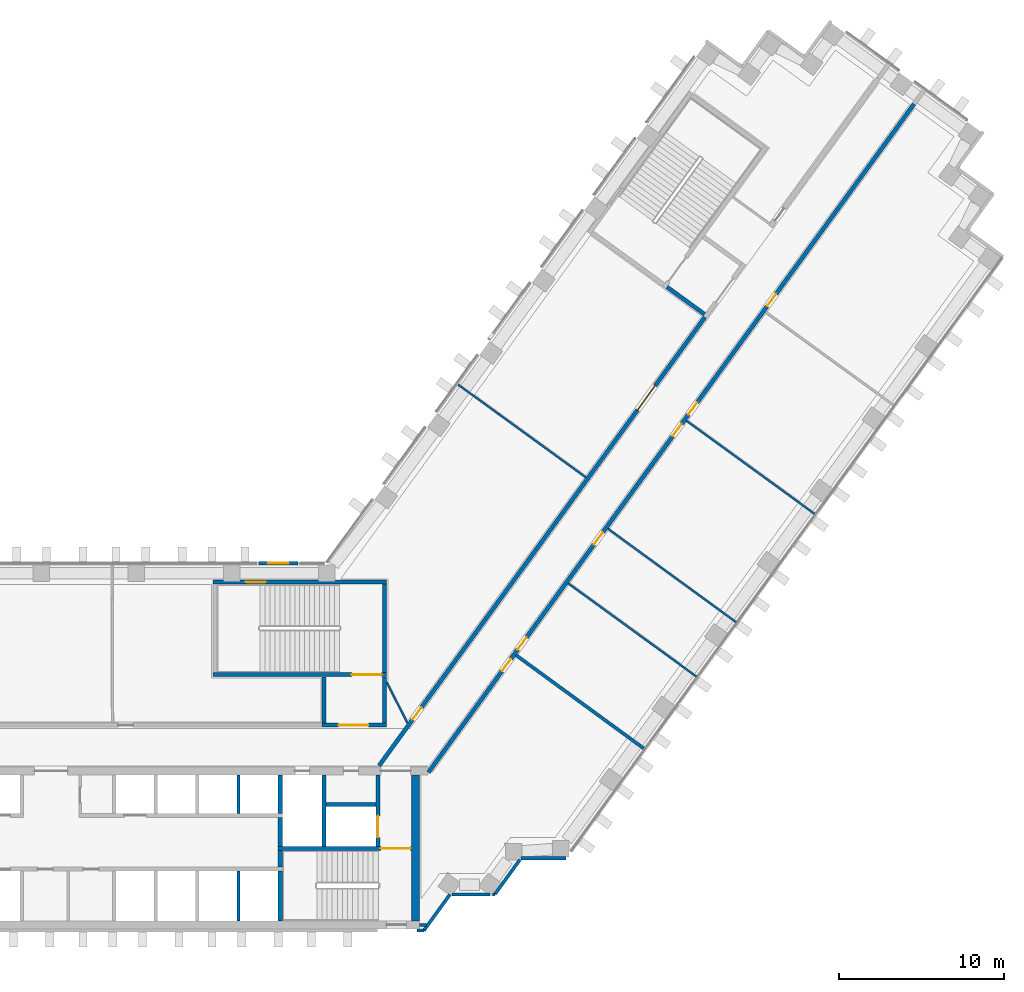
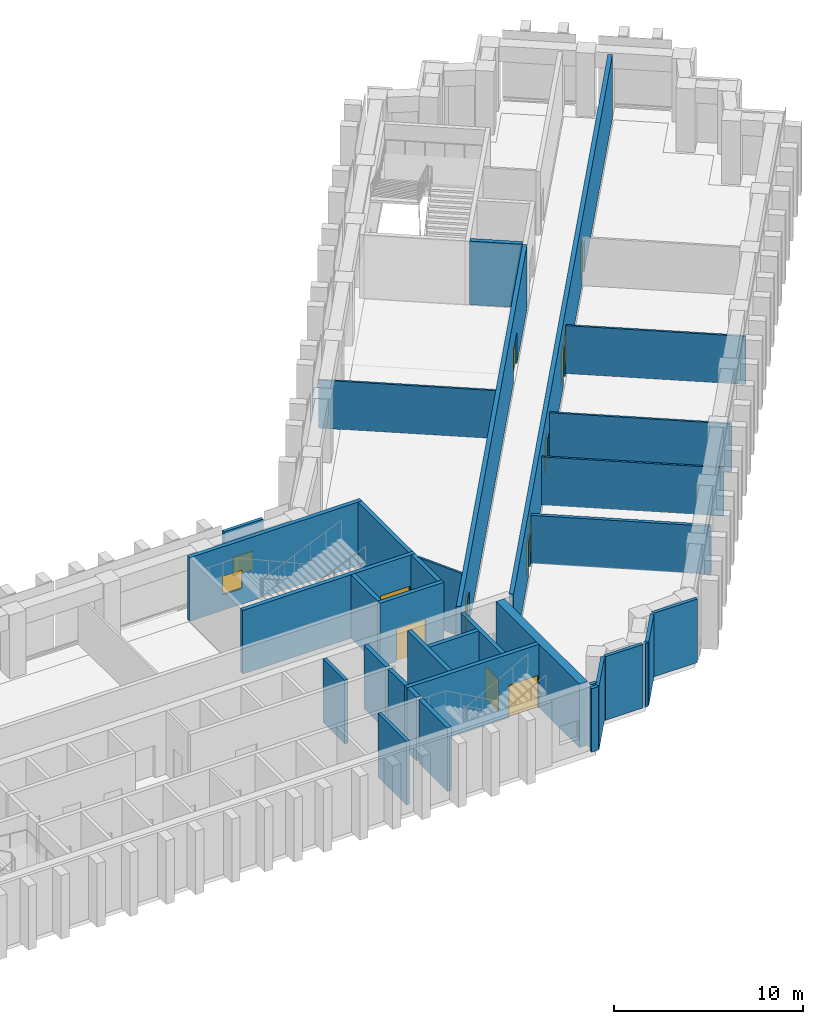
# One storey, part 10 of 15: 34 walls, 12 doors, 2 windows, 14 openings.
"""IFC4 building model written with IfcOpenShell, lengths in metres."""

from ifc_helpers import new_model, si_unit, direction, frame, frame_2d, origin, place, context, subcontext, project, spatial, rectangle, extrude, material, layer, layer_set, type_object, element, fill, save


model = new_model("IFC4")

# Units and contexts
model_context = context("Model", 3, precision=1e-05, world=origin(), true_north=direction((0.0, 1.0)))
body_context = subcontext(model_context, "Body", "Model", "MODEL_VIEW")
ifc_project = project(units=[si_unit("LENGTHUNIT", "METRE"), si_unit("AREAUNIT", "SQUARE_METRE"), si_unit("VOLUMEUNIT", "CUBIC_METRE"), si_unit("PLANEANGLEUNIT", "RADIAN"), si_unit("MASSUNIT", "GRAM", prefix="KILO")], contexts=[model_context])

# Site, building, storey
site_placement = place(None, origin())
site = spatial("IfcSite", under=ifc_project, at=site_placement, CompositionType="ELEMENT")
building_placement = place(site_placement, origin())
building = spatial("IfcBuilding", under=site, at=building_placement, Name="Quipu Civic Tower", CompositionType="ELEMENT")
storey_placement = place(building_placement, frame((0.0, 0.0, 11.5)))
storey = spatial("IfcBuildingStorey", under=building, at=storey_placement, Name="L02", CompositionType="ELEMENT", Elevation=11.5)

# Walls
ifc_material_1 = material(Name="Fired clay blockwork", Category="masonry")
ifc_layer_1 = layer(ifc_material_1, 0.199951171875)
ifc_layer_set_1 = layer_set([ifc_layer_1], Name="Fired clay blockwork")
wall_type_1 = type_object("IfcWallType", Name="Blockwork wall 200", PredefinedType="SOLIDWALL", material=ifc_layer_set_1)
wall_1_placement = place(storey_placement, frame((25.82568359375, 5.55126953125, 0.0), z_axis=(0.0, 0.0, 1.0), x_axis=(0.80759810708, -0.589733242612, 0.0)))
element("IfcWall", 1, at=wall_1_placement, inside=storey, type_object=wall_type_1, Name="Partition P11", PredefinedType="SOLIDWALL", context=body_context, shape_type="SweptSolid", body=[
    extrude(rectangle(XDim=9.5498046875, YDim=0.199951171875, at=frame_2d((4.77490234375, 0.0))), origin(), (0.0, 0.0, 1.0), 3.10009765625),
])
ifc_material_2 = material(Name="Concrete C70/85", Category="concrete")
ifc_layer_2 = layer(ifc_material_2, 0.25)
ifc_layer_set_2 = layer_set([ifc_layer_2], Name="Concrete C70/85")
wall_type_2 = type_object("IfcWallType", Name="Core wall 250", PredefinedType="SHEAR", material=ifc_layer_set_2)
wall_2_placement = place(storey_placement, frame((11.574951171875, -10.5, 0.0), z_axis=(0.0, 0.0, 1.0), x_axis=(0.0, 1.0, 0.0)))
element("IfcWall", 2, at=wall_2_placement, inside=storey, type_object=wall_type_2, Name="Core wall", PredefinedType="SHEAR", context=body_context, shape_type="SweptSolid", body=[
    extrude(rectangle(XDim=3.0, YDim=0.25, at=frame_2d((1.5, 0.0))), origin(), (0.0, 0.0, 1.0), 4.10009765625),
])
wall_3_placement = place(storey_placement, frame((11.574951171875, -7.25, 0.0), z_axis=(0.0, 0.0, 1.0), x_axis=(0.0, 1.0, 0.0)))
element("IfcWall", 3, at=wall_3_placement, inside=storey, type_object=wall_type_2, Name="Core wall", PredefinedType="SHEAR", context=body_context, shape_type="SweptSolid", body=[
    extrude(rectangle(XDim=1.0, YDim=0.25, at=frame_2d((0.5, 0.0))), origin(), (0.0, 0.0, 1.0), 4.10009765625),
])

# Wall, opening, door
wall_4_placement = place(storey_placement, frame((19.5, -6.125, 0.0), z_axis=(0.0, 0.0, 1.0), x_axis=(-1.0, 0.0, 0.0)))
wall_4 = element("IfcWall", 4, at=wall_4_placement, inside=storey, type_object=wall_type_2, Name="Core wall", PredefinedType="SHEAR", context=body_context, shape_type="SweptSolid", body=[
    extrude(rectangle(XDim=8.050048828125, YDim=0.25, at=frame_2d((4.02490234375, 0.0))), origin(), (0.0, 0.0, 1.0), 4.10009765625),
])
opening_1_placement = place(wall_4_placement, frame((0.050048828125, 0.0, 0.0)))
opening_1 = element("IfcOpeningElement", 5, at=opening_1_placement, cuts=wall_4, Name="Opening CD-04", PredefinedType="OPENING", context=body_context, shape_type="SweptSolid", body=[
    extrude(rectangle(XDim=1.800048828125, YDim=2.10009765625, at=frame_2d((0.89990234375, 1.050048828125))), frame((0.0, 0.135009765625, 0.0), z_axis=(0.0, -1.0, 0.0), x_axis=(1.0, 0.0, 0.0)), (0.0, 0.0, 1.0), 0.27001953125),
])
ifc_material_3 = material(Name="Fire rated steel door", Category="steel")
door_type_1 = type_object("IfcDoorType", Name="Fire door FD90 double 1800 x 2100", OperationType="NOTDEFINED", PredefinedType="DOOR", material=ifc_material_3)
door_1_placement = place(opening_1_placement, origin())
door_1 = element("IfcDoor", 6, at=door_1_placement, inside=storey, type_object=door_type_1, Name="Door", OperationType="DOUBLE_DOOR_SINGLE_SWING", OverallHeight=2.10009765625, OverallWidth=1.800048828125, PredefinedType="DOOR", context=body_context, shape_type="SweptSolid", body=[
    extrude(rectangle(XDim=1.800048828125, YDim=2.10009765625, at=frame_2d((0.89990234375, 1.050048828125))), frame((0.0, 0.02490234375, 0.0), z_axis=(0.0, -1.0, 0.0), x_axis=(1.0, 0.0, 0.0)), (0.0, 0.0, 1.0), 0.050048828125),
])
fill(opening_1, door_1)

# Walls
wall_5_placement = place(storey_placement, frame((11.574951171875, -6.0, 0.0), z_axis=(0.0, 0.0, 1.0), x_axis=(0.0, 1.0, 0.0)))
element("IfcWall", 7, at=wall_5_placement, inside=storey, type_object=wall_type_2, Name="Core wall", PredefinedType="SHEAR", context=body_context, shape_type="SweptSolid", body=[
    extrude(rectangle(XDim=1.75, YDim=0.25, at=frame_2d((0.875, 0.0))), origin(), (0.0, 0.0, 1.0), 4.10009765625),
])
wall_6_placement = place(storey_placement, frame((14.22509765625, -6.0, 0.0), z_axis=(0.0, 0.0, 1.0), x_axis=(0.0, 1.0, 0.0)))
element("IfcWall", 8, at=wall_6_placement, inside=storey, type_object=wall_type_2, Name="Core wall", PredefinedType="SHEAR", context=body_context, shape_type="SweptSolid", body=[
    extrude(rectangle(XDim=4.300048828125, YDim=0.25, at=frame_2d((2.14990234375, 0.0))), origin(), (0.0, 0.0, 1.0), 4.10009765625),
])

# Wall, opening, door
wall_7_placement = place(storey_placement, frame((17.47509765625, -6.0, 0.0), z_axis=(0.0, 0.0, 1.0), x_axis=(0.0, 1.0, 0.0)))
wall_7 = element("IfcWall", 9, at=wall_7_placement, inside=storey, type_object=wall_type_2, Name="Core wall", PredefinedType="SHEAR", context=body_context, shape_type="SweptSolid", body=[
    extrude(rectangle(XDim=4.300048828125, YDim=0.25, at=frame_2d((2.14990234375, 0.0))), origin(), (0.0, 0.0, 1.0), 4.10009765625),
])
opening_2_placement = place(wall_7_placement, frame((0.550048828125, 0.0, 0.0)))
opening_2 = element("IfcOpeningElement", 10, at=opening_2_placement, cuts=wall_7, Name="Opening LD-FF2", PredefinedType="OPENING", context=body_context, shape_type="SweptSolid", body=[
    extrude(rectangle(XDim=1.300048828125, YDim=2.10009765625, at=frame_2d((0.64990234375, 1.050048828125))), frame((0.0, 0.135009765625, 0.0), z_axis=(0.0, -1.0, 0.0), x_axis=(1.0, 0.0, 0.0)), (0.0, 0.0, 1.0), 0.27001953125),
])
ifc_material_4 = material(Name="Stainless steel", Category="steel")
door_type_2 = type_object("IfcDoorType", Name="Lift landing door 1300 x 2100", OperationType="DOUBLE_DOOR_SLIDING", PredefinedType="DOOR", material=ifc_material_4)
door_2_placement = place(opening_2_placement, origin())
door_2 = element("IfcDoor", 11, at=door_2_placement, inside=storey, type_object=door_type_2, Name="Landing door FF2", OperationType="DOUBLE_DOOR_SLIDING", OverallHeight=2.10009765625, OverallWidth=1.300048828125, PredefinedType="DOOR", context=body_context, shape_type="SweptSolid", body=[
    extrude(rectangle(XDim=1.300048828125, YDim=2.10009765625, at=frame_2d((0.64990234375, 1.050048828125))), frame((0.0, 0.02490234375, 0.0), z_axis=(0.0, -1.0, 0.0), x_axis=(1.0, 0.0, 0.0)), (0.0, 0.0, 1.0), 0.050048828125),
])
fill(opening_2, door_2)

# Walls
wall_8_placement = place(storey_placement, frame((11.574951171875, -4.0, 0.0), z_axis=(0.0, 0.0, 1.0), x_axis=(0.0, 1.0, 0.0)))
element("IfcWall", 12, at=wall_8_placement, inside=storey, type_object=wall_type_2, Name="Core wall", PredefinedType="SHEAR", context=body_context, shape_type="SweptSolid", body=[
    extrude(rectangle(XDim=2.300048828125, YDim=0.25, at=frame_2d((1.14990234375, 0.0))), origin(), (0.0, 0.0, 1.0), 4.10009765625),
])
wall_9_placement = place(storey_placement, frame((14.35009765625, -3.47509765625, 0.0), z_axis=(0.0, 0.0, 1.0), x_axis=(1.0, 0.0, 0.0)))
element("IfcWall", 13, at=wall_9_placement, inside=storey, type_object=wall_type_2, Name="Core wall", PredefinedType="SHEAR", context=body_context, shape_type="SweptSolid", body=[
    extrude(rectangle(XDim=3.0, YDim=0.25, at=frame_2d((1.5, 0.0))), origin(), (0.0, 0.0, 1.0), 4.10009765625),
])

# Wall, opening, door
wall_10_placement = place(storey_placement, frame((14.10009765625, 1.324951171875, 0.0), z_axis=(0.0, 0.0, 1.0), x_axis=(1.0, 0.0, 0.0)))
wall_10 = element("IfcWall", 14, at=wall_10_placement, inside=storey, type_object=wall_type_2, Name="Core wall", PredefinedType="SHEAR", context=body_context, shape_type="SweptSolid", body=[
    extrude(rectangle(XDim=3.89990234375, YDim=0.25, at=frame_2d((1.949951171875, 0.0))), origin(), (0.0, 0.0, 1.0), 4.10009765625),
])
opening_3_placement = place(wall_10_placement, frame((1.0, 0.0, 0.0)))
opening_3 = element("IfcOpeningElement", 15, at=opening_3_placement, cuts=wall_10, Name="Opening CD-16", PredefinedType="OPENING", context=body_context, shape_type="SweptSolid", body=[
    extrude(rectangle(XDim=1.800048828125, YDim=2.10009765625, at=frame_2d((0.89990234375, 1.050048828125))), frame((0.0, 0.135009765625, 0.0), z_axis=(0.0, -1.0, 0.0), x_axis=(1.0, 0.0, 0.0)), (0.0, 0.0, 1.0), 0.27001953125),
])
door_3_placement = place(opening_3_placement, origin())
door_3 = element("IfcDoor", 16, at=door_3_placement, inside=storey, type_object=door_type_1, Name="Lobby door", OperationType="DOUBLE_DOOR_SINGLE_SWING", OverallHeight=2.10009765625, OverallWidth=1.800048828125, PredefinedType="DOOR", context=body_context, shape_type="SweptSolid", body=[
    extrude(rectangle(XDim=1.800048828125, YDim=2.10009765625, at=frame_2d((0.89990234375, 1.050048828125))), frame((0.0, 0.02490234375, 0.0), z_axis=(0.0, -1.0, 0.0), x_axis=(1.0, 0.0, 0.0)), (0.0, 0.0, 1.0), 0.050048828125),
])
fill(opening_3, door_3)

# Walls
for number, where, z_axis, x_axis, name in (
    (17, (14.22509765625, 1.449951171875, 0.0), (0.0, 0.0, 1.0), (0.0, 1.0, 0.0), "Core wall"),
    (18, (17.875, 1.449951171875, 0.0), (0.0, 0.0, 1.0), (0.0, 1.0, 0.0), "Core wall"),
):
    element("IfcWall", number, at=place(storey_placement, frame(where, z_axis=z_axis, x_axis=x_axis)), inside=storey, type_object=wall_type_2, Name=name, PredefinedType="SHEAR", context=body_context, shape_type="SweptSolid", body=[
        extrude(rectangle(XDim=2.800048828125, YDim=0.25, at=frame_2d((1.39990234375, 0.0))), origin(), (0.0, 0.0, 1.0), 4.10009765625),
    ])

# Wall, opening, door
wall_11_placement = place(storey_placement, frame((7.5, 4.375, 0.0), z_axis=(0.0, 0.0, 1.0), x_axis=(1.0, 0.0, 0.0)))
wall_11 = element("IfcWall", 19, at=wall_11_placement, inside=storey, type_object=wall_type_2, Name="Core wall", PredefinedType="SHEAR", context=body_context, shape_type="SweptSolid", body=[
    extrude(rectangle(XDim=10.5, YDim=0.25, at=frame_2d((5.25, 0.0))), origin(), (0.0, 0.0, 1.0), 4.10009765625),
])
opening_4_placement = place(wall_11_placement, frame((8.39990234375, 0.0, 0.0)))
opening_4 = element("IfcOpeningElement", 20, at=opening_4_placement, cuts=wall_11, Name="Opening CD-17", PredefinedType="OPENING", context=body_context, shape_type="SweptSolid", body=[
    extrude(rectangle(XDim=1.800048828125, YDim=2.10009765625, at=frame_2d((0.89990234375, 1.050048828125))), frame((0.0, 0.135009765625, 0.0), z_axis=(0.0, -1.0, 0.0), x_axis=(1.0, 0.0, 0.0)), (0.0, 0.0, 1.0), 0.27001953125),
])
door_4_placement = place(opening_4_placement, origin())
door_4 = element("IfcDoor", 21, at=door_4_placement, inside=storey, type_object=door_type_1, Name="Door", OperationType="DOUBLE_DOOR_SINGLE_SWING", OverallHeight=2.10009765625, OverallWidth=1.800048828125, PredefinedType="DOOR", context=body_context, shape_type="SweptSolid", body=[
    extrude(rectangle(XDim=1.800048828125, YDim=2.10009765625, at=frame_2d((0.89990234375, 1.050048828125))), frame((0.0, 0.02490234375, 0.0), z_axis=(0.0, -1.0, 0.0), x_axis=(1.0, 0.0, 0.0)), (0.0, 0.0, 1.0), 0.050048828125),
])
fill(opening_4, door_4)

# Wall
wall_12_placement = place(storey_placement, frame((17.875, 4.5, 0.0), z_axis=(0.0, 0.0, 1.0), x_axis=(0.0, 1.0, 0.0)))
element("IfcWall", 22, at=wall_12_placement, inside=storey, type_object=wall_type_2, Name="Core wall", PredefinedType="SHEAR", context=body_context, shape_type="SweptSolid", body=[
    extrude(rectangle(XDim=5.35009765625, YDim=0.25, at=frame_2d((2.675048828125, 0.0))), origin(), (0.0, 0.0, 1.0), 4.10009765625),
])

# Wall, opening, window
wall_13_placement = place(storey_placement, frame((7.5, 9.97509765625, 0.0), z_axis=(0.0, 0.0, 1.0), x_axis=(1.0, 0.0, 0.0)))
wall_13 = element("IfcWall", 23, at=wall_13_placement, inside=storey, type_object=wall_type_2, Name="Core wall", PredefinedType="SHEAR", context=body_context, shape_type="SweptSolid", body=[
    extrude(rectangle(XDim=10.5, YDim=0.25, at=frame_2d((5.25, 0.0))), origin(), (0.0, 0.0, 1.0), 4.10009765625),
])
opening_5_placement = place(wall_13_placement, frame((2.0, 0.0, 1.0)))
opening_5 = element("IfcOpeningElement", 24, at=opening_5_placement, cuts=wall_13, Name="Opening SV-4", PredefinedType="OPENING", context=body_context, shape_type="SweptSolid", body=[
    extrude(rectangle(XDim=1.199951171875, YDim=1.199951171875, at=frame_2d((0.60009765625, 0.60009765625))), frame((0.0, 0.135009765625, 0.0), z_axis=(0.0, -1.0, 0.0), x_axis=(1.0, 0.0, 0.0)), (0.0, 0.0, 1.0), 0.27001953125),
])
ifc_material_5 = material(Name="Aluminium louvre", Category="aluminium")
window_type_1 = type_object("IfcWindowType", Name="Stair ventilation louvre 1200 x 1200", PartitioningType="SINGLE_PANEL", PredefinedType="WINDOW", material=ifc_material_5)
window_1_placement = place(opening_5_placement, origin())
window_1 = element("IfcWindow", 25, at=window_1_placement, inside=storey, type_object=window_type_1, Name="Stair ventilation opening", OverallHeight=1.199951171875, OverallWidth=1.199951171875, PartitioningType="SINGLE_PANEL", PredefinedType="WINDOW", context=body_context, shape_type="SweptSolid", body=[
    extrude(rectangle(XDim=1.199951171875, YDim=1.199951171875, at=frame_2d((0.60009765625, 0.60009765625))), frame((0.0, 0.030029296875, 0.0), z_axis=(0.0, -1.0, 0.0), x_axis=(1.0, 0.0, 0.0)), (0.0, 0.0, 1.0), 0.06005859375),
])
fill(opening_5, window_1)

# Walls
wall_14_placement = place(storey_placement, frame((37.2099609375, 26.154296875, 0.0), z_axis=(0.0, 0.0, 1.0), x_axis=(-0.809041377956, 0.587751689708, 0.0)))
element("IfcWall", 26, at=wall_14_placement, inside=storey, type_object=wall_type_2, Name="Core wall", PredefinedType="SHEAR", context=body_context, shape_type="SweptSolid", body=[
    extrude(rectangle(XDim=2.800048828125, YDim=0.25, at=frame_2d((1.39990234375, 0.0))), origin(), (0.0, 0.0, 1.0), 4.10009765625),
])
ifc_material_6 = material(Name="Concrete C70/85", Category="concrete")
ifc_layer_3 = layer(ifc_material_6, 0.5)
ifc_layer_set_3 = layer_set([ifc_layer_3], Name="Concrete C70/85")
wall_type_3 = type_object("IfcWallType", Name="Core wall 500", PredefinedType="SHEAR", material=ifc_layer_set_3)
wall_15_placement = place(storey_placement, frame((19.75, -10.5, 0.0), z_axis=(0.0, 0.0, 1.0), x_axis=(0.0, 1.0, 0.0)))
element("IfcWall", 27, at=wall_15_placement, inside=storey, type_object=wall_type_3, Name="Core wall", PredefinedType="SHEAR", context=body_context, shape_type="SweptSolid", body=[
    extrude(rectangle(XDim=8.800048828125, YDim=0.5, at=frame_2d((4.39990234375, 0.0))), origin(), (0.0, 0.0, 1.0), 4.10009765625),
])

# Wall, openings, doors
ifc_material_7 = material(Name="Concrete C50/60", Category="concrete")
ifc_layer_4 = layer(ifc_material_7, 0.25)
ifc_layer_set_4 = layer_set([ifc_layer_4], Name="Concrete C50/60")
wall_type_4 = type_object("IfcWallType", Name="Corridor wall 250 concrete", PredefinedType="SOLIDWALL", material=ifc_layer_set_4)
wall_16_placement = place(storey_placement, frame((49.86865234375, 38.8564453125, 0.0), z_axis=(0.0, 0.0, 1.0), x_axis=(-0.587784522481, -0.809017524614, 0.0)))
wall_16 = element("IfcWall", 28, at=wall_16_placement, inside=storey, type_object=wall_type_4, Name="Corridor wall C01", PredefinedType="SOLIDWALL", context=body_context, shape_type="SweptSolid", body=[
    extrude(rectangle(XDim=49.912353515625, YDim=0.25, at=frame_2d((24.9560546875, 0.0))), origin(), (0.0, 0.0, 1.0), 4.10009765625),
])
opening_6_placement = place(wall_16_placement, frame((23.896728515625, 0.0, 0.0)))
opening_6 = element("IfcOpeningElement", 29, at=opening_6_placement, cuts=wall_16, Name="Opening D007", PredefinedType="OPENING", context=body_context, shape_type="SweptSolid", body=[
    extrude(rectangle(XDim=0.89990234375, YDim=2.10009765625, at=frame_2d((0.449951171875, 1.050048828125))), frame((0.0, 0.135009765625, 0.0), z_axis=(0.0, -1.0, 0.0), x_axis=(1.0, 0.0, 0.0)), (0.0, 0.0, 1.0), 0.27001953125),
])
opening_7_placement = place(wall_16_placement, frame((14.196044921875, 0.0, 0.0)))
opening_7 = element("IfcOpeningElement", 30, at=opening_7_placement, cuts=wall_16, Name="Opening D009", PredefinedType="OPENING", context=body_context, shape_type="SweptSolid", body=[
    extrude(rectangle(XDim=0.89990234375, YDim=2.10009765625, at=frame_2d((0.449951171875, 1.050048828125))), frame((0.0, 0.135009765625, 0.0), z_axis=(0.0, -1.0, 0.0), x_axis=(1.0, 0.0, 0.0)), (0.0, 0.0, 1.0), 0.27001953125),
])
opening_8_placement = place(wall_16_placement, frame((39.8466796875, 0.0, 0.0)))
opening_8 = element("IfcOpeningElement", 31, at=opening_8_placement, cuts=wall_16, Name="Opening D005", PredefinedType="OPENING", context=body_context, shape_type="SweptSolid", body=[
    extrude(rectangle(XDim=0.89990234375, YDim=2.10009765625, at=frame_2d((0.449951171875, 1.050048828125))), frame((0.0, 0.135009765625, 0.0), z_axis=(0.0, -1.0, 0.0), x_axis=(1.0, 0.0, 0.0)), (0.0, 0.0, 1.0), 0.27001953125),
])
opening_9_placement = place(wall_16_placement, frame((41.4462890625, 0.0, 0.0)))
opening_9 = element("IfcOpeningElement", 32, at=opening_9_placement, cuts=wall_16, Name="Opening D004", PredefinedType="OPENING", context=body_context, shape_type="SweptSolid", body=[
    extrude(rectangle(XDim=0.89990234375, YDim=2.10009765625, at=frame_2d((0.449951171875, 1.050048828125))), frame((0.0, 0.135009765625, 0.0), z_axis=(0.0, -1.0, 0.0), x_axis=(1.0, 0.0, 0.0)), (0.0, 0.0, 1.0), 0.27001953125),
])
opening_10_placement = place(wall_16_placement, frame((31.99658203125, 0.0, 0.0)))
opening_10 = element("IfcOpeningElement", 33, at=opening_10_placement, cuts=wall_16, Name="Opening D006", PredefinedType="OPENING", context=body_context, shape_type="SweptSolid", body=[
    extrude(rectangle(XDim=0.89990234375, YDim=2.10009765625, at=frame_2d((0.449951171875, 1.050048828125))), frame((0.0, 0.135009765625, 0.0), z_axis=(0.0, -1.0, 0.0), x_axis=(1.0, 0.0, 0.0)), (0.0, 0.0, 1.0), 0.27001953125),
])
opening_11_placement = place(wall_16_placement, frame((22.2958984375, 0.0, 0.0)))
opening_11 = element("IfcOpeningElement", 34, at=opening_11_placement, cuts=wall_16, Name="Opening D008", PredefinedType="OPENING", context=body_context, shape_type="SweptSolid", body=[
    extrude(rectangle(XDim=0.89990234375, YDim=2.10009765625, at=frame_2d((0.449951171875, 1.050048828125))), frame((0.0, 0.135009765625, 0.0), z_axis=(0.0, -1.0, 0.0), x_axis=(1.0, 0.0, 0.0)), (0.0, 0.0, 1.0), 0.27001953125),
])
ifc_material_8 = material(Name="Fire rated timber door set with metal frame", Category="wood")
door_type_3 = type_object("IfcDoorType", Name="Single door 900 x 2100 FD60", OperationType="NOTDEFINED", PredefinedType="DOOR", material=ifc_material_8)
door_5_placement = place(opening_6_placement, origin())
door_5 = element("IfcDoor", 35, at=door_5_placement, inside=storey, type_object=door_type_3, Name="Door D007", OperationType="SINGLE_SWING_LEFT", OverallHeight=2.10009765625, OverallWidth=0.89990234375, PredefinedType="DOOR", context=body_context, shape_type="SweptSolid", body=[
    extrude(rectangle(XDim=0.89990234375, YDim=2.10009765625, at=frame_2d((0.449951171875, 1.050048828125))), frame((0.0, 0.02490234375, 0.0), z_axis=(0.0, -1.0, 0.0), x_axis=(1.0, 0.0, 0.0)), (0.0, 0.0, 1.0), 0.050048828125),
])
fill(opening_6, door_5)
door_6_placement = place(opening_7_placement, origin())
door_6 = element("IfcDoor", 36, at=door_6_placement, inside=storey, type_object=door_type_3, Name="Door D009", OperationType="SINGLE_SWING_RIGHT", OverallHeight=2.10009765625, OverallWidth=0.89990234375, PredefinedType="DOOR", context=body_context, shape_type="SweptSolid", body=[
    extrude(rectangle(XDim=0.89990234375, YDim=2.10009765625, at=frame_2d((0.449951171875, 1.050048828125))), frame((0.0, 0.02490234375, 0.0), z_axis=(0.0, -1.0, 0.0), x_axis=(1.0, 0.0, 0.0)), (0.0, 0.0, 1.0), 0.050048828125),
])
fill(opening_7, door_6)
door_7_placement = place(opening_8_placement, origin())
door_7 = element("IfcDoor", 37, at=door_7_placement, inside=storey, type_object=door_type_3, Name="Door D005", OperationType="SINGLE_SWING_RIGHT", OverallHeight=2.10009765625, OverallWidth=0.89990234375, PredefinedType="DOOR", context=body_context, shape_type="SweptSolid", body=[
    extrude(rectangle(XDim=0.89990234375, YDim=2.10009765625, at=frame_2d((0.449951171875, 1.050048828125))), frame((0.0, 0.02490234375, 0.0), z_axis=(0.0, -1.0, 0.0), x_axis=(1.0, 0.0, 0.0)), (0.0, 0.0, 1.0), 0.050048828125),
])
fill(opening_8, door_7)
door_8_placement = place(opening_9_placement, origin())
door_8 = element("IfcDoor", 38, at=door_8_placement, inside=storey, type_object=door_type_3, Name="Door D004", OperationType="SINGLE_SWING_LEFT", OverallHeight=2.10009765625, OverallWidth=0.89990234375, PredefinedType="DOOR", context=body_context, shape_type="SweptSolid", body=[
    extrude(rectangle(XDim=0.89990234375, YDim=2.10009765625, at=frame_2d((0.449951171875, 1.050048828125))), frame((0.0, 0.02490234375, 0.0), z_axis=(0.0, -1.0, 0.0), x_axis=(1.0, 0.0, 0.0)), (0.0, 0.0, 1.0), 0.050048828125),
])
fill(opening_9, door_8)
door_9_placement = place(opening_10_placement, origin())
door_9 = element("IfcDoor", 39, at=door_9_placement, inside=storey, type_object=door_type_3, Name="Door D006", OperationType="SINGLE_SWING_LEFT", OverallHeight=2.10009765625, OverallWidth=0.89990234375, PredefinedType="DOOR", context=body_context, shape_type="SweptSolid", body=[
    extrude(rectangle(XDim=0.89990234375, YDim=2.10009765625, at=frame_2d((0.449951171875, 1.050048828125))), frame((0.0, 0.02490234375, 0.0), z_axis=(0.0, -1.0, 0.0), x_axis=(1.0, 0.0, 0.0)), (0.0, 0.0, 1.0), 0.050048828125),
])
fill(opening_10, door_9)
door_10_placement = place(opening_11_placement, origin())
door_10 = element("IfcDoor", 40, at=door_10_placement, inside=storey, type_object=door_type_3, Name="Door D008", OperationType="SINGLE_SWING_RIGHT", OverallHeight=2.10009765625, OverallWidth=0.89990234375, PredefinedType="DOOR", context=body_context, shape_type="SweptSolid", body=[
    extrude(rectangle(XDim=0.89990234375, YDim=2.10009765625, at=frame_2d((0.449951171875, 1.050048828125))), frame((0.0, 0.02490234375, 0.0), z_axis=(0.0, -1.0, 0.0), x_axis=(1.0, 0.0, 0.0)), (0.0, 0.0, 1.0), 0.050048828125),
])
fill(opening_11, door_10)

wall_17_placement = place(storey_placement, frame((17.544921875, -1.124755859375, 0.0), z_axis=(0.0, 0.0, 1.0), x_axis=(0.587786323093, 0.809016216391, 0.0)))
wall_17 = element("IfcWall", 41, at=wall_17_placement, inside=storey, type_object=wall_type_4, Name="Corridor wall C06", PredefinedType="SOLIDWALL", context=body_context, shape_type="SweptSolid", body=[
    extrude(rectangle(XDim=33.4931640625, YDim=0.25, at=frame_2d((16.74658203125, 0.0))), origin(), (0.0, 0.0, 1.0), 4.10009765625),
])
opening_12_placement = place(wall_17_placement, frame((3.44140625, 0.0, 0.0)))
opening_12 = element("IfcOpeningElement", 42, at=opening_12_placement, cuts=wall_17, Name="Opening D001", PredefinedType="OPENING", context=body_context, shape_type="SweptSolid", body=[
    extrude(rectangle(XDim=0.89990234375, YDim=2.10009765625, at=frame_2d((0.449951171875, 1.050048828125))), frame((0.0, 0.135009765625, 0.0), z_axis=(0.0, -1.0, 0.0), x_axis=(1.0, 0.0, 0.0)), (0.0, 0.0, 1.0), 0.27001953125),
])
opening_13_placement = place(wall_17_placement, frame((26.580322265625, 0.0, 0.0)))
opening_13 = element("IfcOpeningElement", 43, at=opening_13_placement, cuts=wall_17, Name="Opening D002", PredefinedType="OPENING", context=body_context, shape_type="SweptSolid", body=[
    extrude(rectangle(XDim=1.800048828125, YDim=2.10009765625, at=frame_2d((0.89990234375, 1.050048828125))), frame((0.0, 0.135009765625, 0.0), z_axis=(0.0, -1.0, 0.0), x_axis=(1.0, 0.0, 0.0)), (0.0, 0.0, 1.0), 0.27001953125),
])
ifc_material_9 = material(Name="Fire rated timber door set with metal frame", Category="wood")
door_type_4 = type_object("IfcDoorType", Name="Double door 1800 x 2100 FD60", OperationType="DOUBLE_DOOR_SINGLE_SWING", PredefinedType="DOOR", material=ifc_material_9)
door_11_placement = place(opening_13_placement, origin())
door_11 = element("IfcDoor", 44, at=door_11_placement, inside=storey, type_object=door_type_4, Name="Door D002", OperationType="DOUBLE_DOOR_SINGLE_SWING", OverallHeight=2.10009765625, OverallWidth=1.800048828125, PredefinedType="DOOR", context=body_context, shape_type="SweptSolid", body=[
    extrude(rectangle(XDim=1.800048828125, YDim=2.10009765625, at=frame_2d((0.89990234375, 1.050048828125))), frame((0.0, 0.02490234375, 0.0), z_axis=(0.0, -1.0, 0.0), x_axis=(1.0, 0.0, 0.0)), (0.0, 0.0, 1.0), 0.050048828125),
])
fill(opening_13, door_11)
door_12_placement = place(opening_12_placement, origin())
door_12 = element("IfcDoor", 45, at=door_12_placement, inside=storey, type_object=door_type_3, Name="Door D001", OperationType="SINGLE_SWING_LEFT", OverallHeight=2.10009765625, OverallWidth=0.89990234375, PredefinedType="DOOR", context=body_context, shape_type="SweptSolid", body=[
    extrude(rectangle(XDim=0.89990234375, YDim=2.10009765625, at=frame_2d((0.449951171875, 1.050048828125))), frame((0.0, 0.02490234375, 0.0), z_axis=(0.0, -1.0, 0.0), x_axis=(1.0, 0.0, 0.0)), (0.0, 0.0, 1.0), 0.050048828125),
])
fill(opening_12, door_12)

# Walls
ifc_material_10 = material(Name="Gypsum plasterboard on light gauge framing")
ifc_layer_5 = layer(ifc_material_10, 0.1201171875)
ifc_layer_set_5 = layer_set([ifc_layer_5], Name="Gypsum plasterboard on light gauge framing")
wall_type_5 = type_object("IfcWallType", Name="Partition 120 plasterboard", PredefinedType="PARTITIONING", material=ifc_layer_set_5)
wall_18_placement = place(storey_placement, frame((30.044189453125, 16.291748046875, 0.0), z_axis=(0.0, 0.0, 1.0), x_axis=(-0.80898585166, 0.587828114175, 0.0)))
element("IfcWall", 46, at=wall_18_placement, inside=storey, type_object=wall_type_5, Name="Partition P01", PredefinedType="PARTITIONING", context=body_context, shape_type="SweptSolid", body=[
    extrude(rectangle(XDim=9.550048828125, YDim=0.1201171875, at=frame_2d((4.77490234375, 0.0))), origin(), (0.0, 0.0, 1.0), 3.10009765625),
])
wall_19_placement = place(storey_placement, frame((31.3798828125, 13.1962890625, 0.0), z_axis=(0.0, 0.0, 1.0), x_axis=(0.807701085448, -0.589592195137, 0.0)))
element("IfcWall", 47, at=wall_19_placement, inside=storey, type_object=wall_type_5, Name="Partition P02", PredefinedType="PARTITIONING", context=body_context, shape_type="SweptSolid", body=[
    extrude(rectangle(XDim=9.651123046875, YDim=0.1201171875, at=frame_2d((4.82568359375, 0.0))), origin(), (0.0, 0.0, 1.0), 3.10009765625),
])
wall_20_placement = place(storey_placement, frame((43.84423828125, 14.1044921875, 0.0), z_axis=(0.0, 0.0, 1.0), x_axis=(-0.809102944047, 0.587666934526, 0.0)))
element("IfcWall", 48, at=wall_20_placement, inside=storey, type_object=wall_type_5, Name="Partition P03", PredefinedType="PARTITIONING", context=body_context, shape_type="SweptSolid", body=[
    extrude(rectangle(XDim=9.550048828125, YDim=0.1201171875, at=frame_2d((4.77490234375, 0.0))), origin(), (0.0, 0.0, 1.0), 3.10009765625),
])
wall_21_placement = place(storey_placement, frame((36.78369140625, 4.21484375, 0.0), z_axis=(0.0, 0.0, 1.0), x_axis=(-0.808994179369, 0.587816653173, 0.0)))
element("IfcWall", 49, at=wall_21_placement, inside=storey, type_object=wall_type_5, Name="Partition P12", PredefinedType="PARTITIONING", context=body_context, shape_type="SweptSolid", body=[
    extrude(rectangle(XDim=9.650634765625, YDim=0.1201171875, at=frame_2d((4.8251953125, 0.0))), origin(), (0.0, 0.0, 1.0), 3.10009765625),
])
wall_22_placement = place(storey_placement, frame((18.0, 3.925048828125, 0.0), z_axis=(0.0, 0.0, 1.0), x_axis=(0.453950796792, -0.891026752736, 0.0)))
element("IfcWall", 50, at=wall_22_placement, inside=storey, type_object=wall_type_5, Name="Partition P14", PredefinedType="PARTITIONING", context=body_context, shape_type="SweptSolid", body=[
    extrude(rectangle(XDim=2.77783203125, YDim=0.1201171875, at=frame_2d((1.388916015625, 0.0))), origin(), (0.0, 0.0, 1.0), 4.10009765625),
])
ifc_material_11 = material(Name="Precast concrete C40/50", Category="concrete")
wall_type_6 = type_object("IfcWallType", Name="Precast cladding wall", PredefinedType="SOLIDWALL", material=ifc_material_11)
wall_23_placement = place(storey_placement, frame((19.85009765625, -11.087890625, 0.0), z_axis=(0.0, 0.0, 1.0), x_axis=(1.0, 0.0, 0.0)))
element("IfcWall", 51, at=wall_23_placement, inside=storey, type_object=wall_type_6, Name="Precast cladding wall L02 26", PredefinedType="SOLIDWALL", context=body_context, shape_type="SweptSolid", body=[
    extrude(rectangle(XDim=0.40576171875, YDim=0.199951171875, at=frame_2d((0.202880859375, 0.0))), origin(), (0.0, 0.0, 1.0), 4.10009765625),
])
wall_24_placement = place(storey_placement, frame((20.253173828125, -11.083251953125, 0.0), z_axis=(0.0, 0.0, 1.0), x_axis=(0.587766567315, 0.809030569476, 0.0)))
element("IfcWall", 52, at=wall_24_placement, inside=storey, type_object=wall_type_6, Name="Precast cladding wall L02 27", PredefinedType="SOLIDWALL", context=body_context, shape_type="SweptSolid", body=[
    extrude(rectangle(XDim=2.687744140625, YDim=0.199951171875, at=frame_2d((1.34375, 0.0))), origin(), (0.0, 0.0, 1.0), 4.10009765625),
])
wall_25_placement = place(storey_placement, frame((21.943359375, -8.90380859375, 0.0), z_axis=(0.0, 0.0, 1.0), x_axis=(1.0, 0.0, 0.0)))
element("IfcWall", 53, at=wall_25_placement, inside=storey, type_object=wall_type_6, Name="Precast cladding wall L02 28", PredefinedType="SOLIDWALL", context=body_context, shape_type="SweptSolid", body=[
    extrude(rectangle(XDim=2.2978515625, YDim=0.199951171875, at=frame_2d((1.14892578125, 0.0))), origin(), (0.0, 0.0, 1.0), 4.10009765625),
])
wall_26_placement = place(storey_placement, frame((24.38671875, -8.90380859375, 0.0), z_axis=(0.0, 0.0, 1.0), x_axis=(1.0, 0.0, 0.0)))
element("IfcWall", 54, at=wall_26_placement, inside=storey, type_object=wall_type_6, Name="Precast cladding wall L02 29", PredefinedType="SOLIDWALL", context=body_context, shape_type="SweptSolid", body=[
    extrude(rectangle(XDim=0.156005859375, YDim=0.199951171875, at=frame_2d((0.078125, 0.0))), origin(), (0.0, 0.0, 1.0), 4.10009765625),
])
wall_27_placement = place(storey_placement, frame((24.540283203125, -8.89892578125, 0.0), z_axis=(0.0, 0.0, 1.0), x_axis=(0.587700286833, 0.809078718578, 0.0)))
element("IfcWall", 55, at=wall_27_placement, inside=storey, type_object=wall_type_6, Name="Precast cladding wall L02 30", PredefinedType="SOLIDWALL", context=body_context, shape_type="SweptSolid", body=[
    extrude(rectangle(XDim=2.587158203125, YDim=0.199951171875, at=frame_2d((1.29345703125, 0.0))), origin(), (0.0, 0.0, 1.0), 4.10009765625),
])
wall_28_placement = place(storey_placement, frame((26.1298828125, -6.71923828125, 0.0), z_axis=(0.0, 0.0, 1.0), x_axis=(1.0, 0.0, 0.0)))
element("IfcWall", 56, at=wall_28_placement, inside=storey, type_object=wall_type_6, Name="Precast cladding wall L02 31", PredefinedType="SOLIDWALL", context=body_context, shape_type="SweptSolid", body=[
    extrude(rectangle(XDim=2.699951171875, YDim=0.199951171875, at=frame_2d((1.35009765625, 0.0))), origin(), (0.0, 0.0, 1.0), 4.10009765625),
])

# Wall, opening, window
wall_29_placement = place(storey_placement, frame((12.655029296875, 11.10009765625, 0.0), z_axis=(0.0, 0.0, 1.0), x_axis=(-1.0, 0.0, 0.0)))
wall_29 = element("IfcWall", 57, at=wall_29_placement, inside=storey, type_object=wall_type_6, Name="Vent surround SF-L02-2", PredefinedType="SOLIDWALL", context=body_context, shape_type="SweptSolid", body=[
    extrude(rectangle(XDim=2.3916015625, YDim=0.199951171875, at=frame_2d((1.19580078125, 0.0))), origin(), (0.0, 0.0, 1.0), 4.10009765625),
])
opening_14_placement = place(wall_29_placement, frame((0.595703125, 0.0, 1.0)))
opening_14 = element("IfcOpeningElement", 58, at=opening_14_placement, cuts=wall_29, Name="Opening SF-L02-2", PredefinedType="OPENING", context=body_context, shape_type="SweptSolid", body=[
    extrude(rectangle(XDim=1.199951171875, YDim=1.199951171875, at=frame_2d((0.60009765625, 0.60009765625))), frame((0.0, 0.10986328125, 0.0), z_axis=(0.0, -1.0, 0.0), x_axis=(1.0, 0.0, 0.0)), (0.0, 0.0, 1.0), 0.219970703125),
])
ifc_material_12 = material(Name="Anodised aluminium louvre", Category="aluminium")
window_type_2 = type_object("IfcWindowType", Name="Stair vent louvre window P3", PartitioningType="SINGLE_PANEL", PredefinedType="WINDOW", material=ifc_material_12)
window_2_placement = place(opening_14_placement, origin())
window_2 = element("IfcWindow", 59, at=window_2_placement, inside=storey, type_object=window_type_2, Name="Stair vent louvre SF-L02-2", OverallHeight=1.199951171875, OverallWidth=1.199951171875, PartitioningType="SINGLE_PANEL", PredefinedType="WINDOW", context=body_context, shape_type="SweptSolid", body=[
    extrude(rectangle(XDim=1.199951171875, YDim=1.199951171875, at=frame_2d((0.60009765625, 0.60009765625))), frame((0.0, 0.030029296875, 0.0), z_axis=(0.0, -1.0, 0.0), x_axis=(1.0, 0.0, 0.0)), (0.0, 0.0, 1.0), 0.06005859375),
])
fill(opening_14, window_2)

# Walls
wall_30_placement = place(storey_placement, frame((19.97998046875, -10.75, 0.0), z_axis=(0.0, 0.0, 1.0), x_axis=(1.0, 0.0, 0.0)))
element("IfcWall", 60, at=wall_30_placement, inside=storey, type_object=wall_type_6, Name="Precast cladding return L02 E", PredefinedType="SOLIDWALL", context=body_context, shape_type="SweptSolid", body=[
    extrude(rectangle(XDim=0.41650390625, YDim=0.199951171875, at=frame_2d((0.208251953125, 0.0))), origin(), (0.0, 0.0, 1.0), 4.10009765625),
])
ifc_material_13 = material(Name="Concrete C40/50", Category="concrete")
ifc_layer_6 = layer(ifc_material_13, 0.199951171875)
ifc_layer_set_6 = layer_set([ifc_layer_6], Name="Concrete C40/50")
wall_type_7 = type_object("IfcWallType", Name="Shaft wall 200", PredefinedType="SOLIDWALL", material=ifc_layer_set_6)
wall_31_placement = place(storey_placement, frame((9.050048828125, -10.5, 0.0), z_axis=(0.0, 0.0, 1.0), x_axis=(0.0, 1.0, 0.0)))
element("IfcWall", 61, at=wall_31_placement, inside=storey, type_object=wall_type_7, Name="Shaft wall", PredefinedType="SOLIDWALL", context=body_context, shape_type="SweptSolid", body=[
    extrude(rectangle(XDim=3.0, YDim=0.199951171875, at=frame_2d((1.5, 0.0))), origin(), (0.0, 0.0, 1.0), 4.10009765625),
])
wall_32_placement = place(storey_placement, frame((9.050048828125, -4.0, 0.0), z_axis=(0.0, 0.0, 1.0), x_axis=(0.0, 1.0, 0.0)))
element("IfcWall", 62, at=wall_32_placement, inside=storey, type_object=wall_type_7, Name="Shaft wall", PredefinedType="SOLIDWALL", context=body_context, shape_type="SweptSolid", body=[
    extrude(rectangle(XDim=2.300048828125, YDim=0.199951171875, at=frame_2d((1.14990234375, 0.0))), origin(), (0.0, 0.0, 1.0), 4.10009765625),
])

save(model, "model.ifc")
